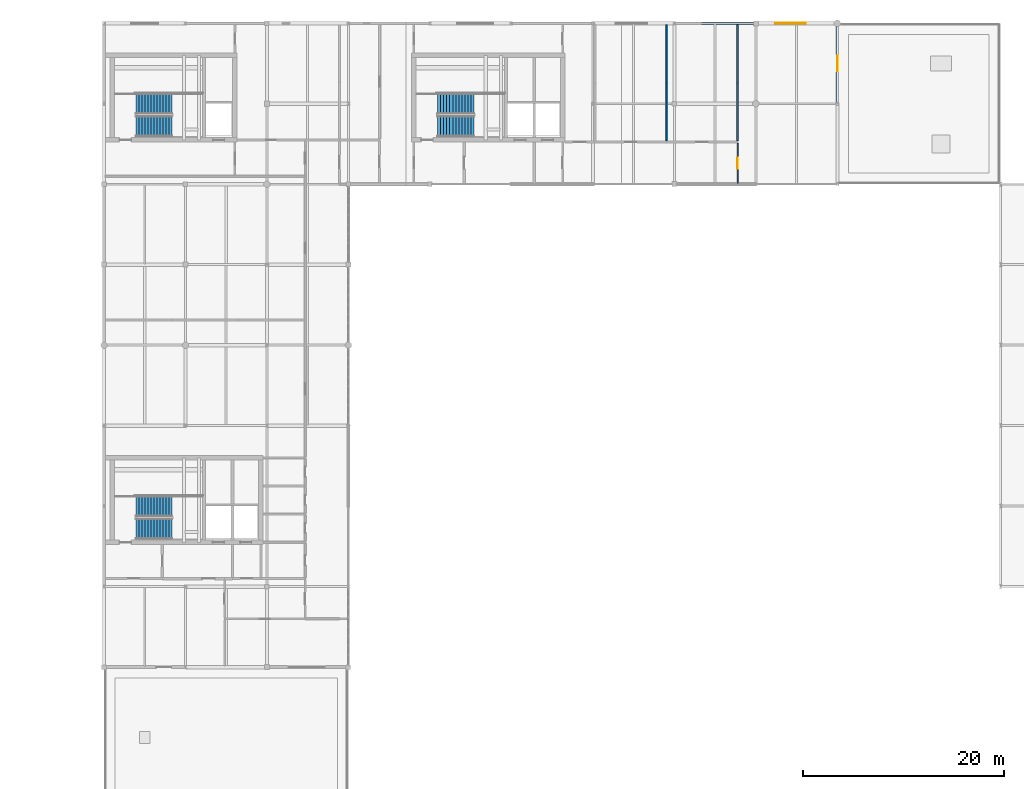
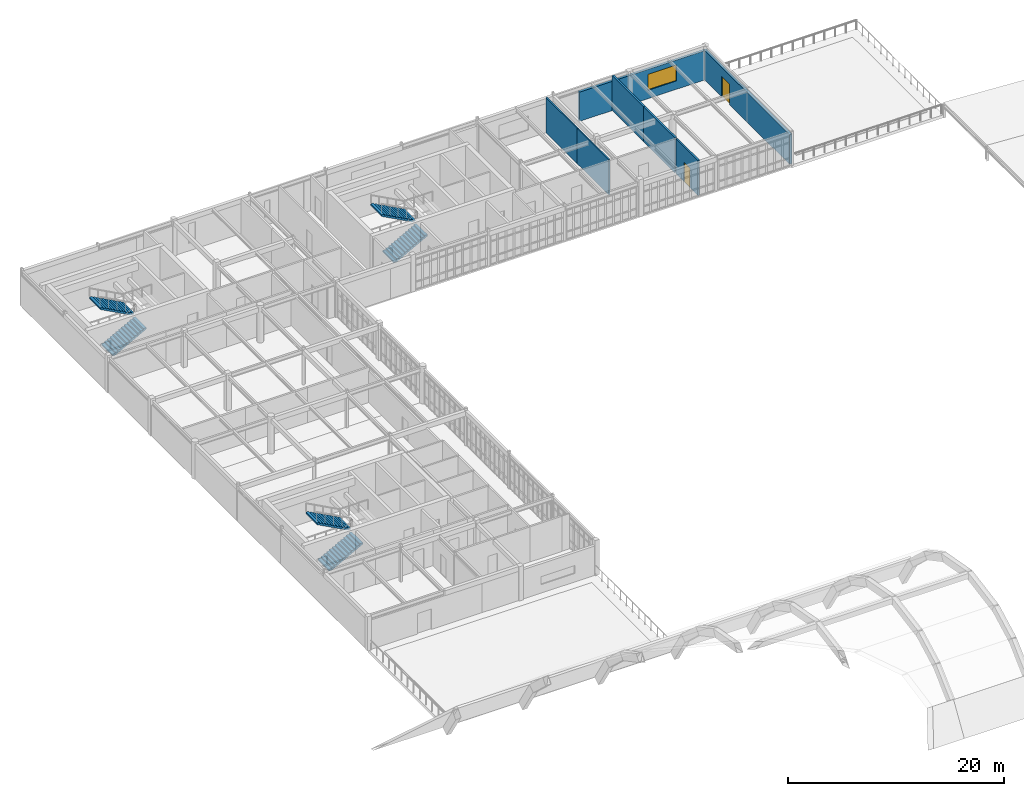
# One storey, part 33 of 36: 7 walls, 6 stair flights, 2 doors, 1 window, 3 openings, 3 elements without a shape of their own.
"""IFC4 building model written with IfcOpenShell, lengths in metres."""

from ifc_helpers import new_model, si_unit, direction, frame, frame_2d, origin, place, context, subcontext, project, spatial, polyline, rectangle, outline, extrude, material, layer, layer_set, type_object, element, fill, aggregate, save


model = new_model("IFC4")

# Units and contexts
model_context = context("Model", 3, precision=1e-05, world=origin(), true_north=direction((0.0, 1.0)))
body_context = subcontext(model_context, "Body", "Model", "MODEL_VIEW")
ifc_project = project(units=[si_unit("LENGTHUNIT", "METRE"), si_unit("AREAUNIT", "SQUARE_METRE"), si_unit("VOLUMEUNIT", "CUBIC_METRE"), si_unit("PLANEANGLEUNIT", "RADIAN"), si_unit("MASSUNIT", "GRAM", prefix="KILO")], contexts=[model_context])

# Site, building, storey
site_placement = place(None, origin())
site = spatial("IfcSite", under=ifc_project, at=site_placement, CompositionType="ELEMENT")
building_placement = place(site_placement, origin())
building = spatial("IfcBuilding", under=site, at=building_placement, Name="Tarnveldt Square Police Headquarters", CompositionType="ELEMENT")
storey_placement = place(building_placement, frame((0.0, 0.0, 24.89990234375)))
storey = spatial("IfcBuildingStorey", under=building, at=storey_placement, Name="L05", CompositionType="ELEMENT", Elevation=24.89990234375)

# Walls
ifc_material_1 = material(Name="Fire-rated Type X gypsum board on steel studs", Category="steel")
ifc_layer_1 = layer(ifc_material_1, 0.199951171875)
ifc_layer_set_1 = layer_set([ifc_layer_1], Name="Fire-rated Type X gypsum board on steel studs")
wall_type_1 = type_object("IfcWallType", Name="WL-ACOUST-200", PredefinedType="PARTITIONING", material=ifc_layer_set_1)
for number, where, z_axis, x_axis, name in (
    (1, (79.199951171875, 100.298095703125, 0.0), (0.0, 0.0, 1.0), (0.0, 1.0, 0.0), "L05 Interior Partition Wall 0658"),
    (2, (79.199951171875, 106.080078125, 0.0), (0.0, 0.0, 1.0), (0.0, 1.0, 0.0), "L05 Interior Partition Wall 0659"),
):
    element("IfcWall", number, at=place(storey_placement, frame(where, z_axis=z_axis, x_axis=x_axis)), inside=storey, type_object=wall_type_1, Name=name, PredefinedType="PARTITIONING", context=body_context, shape_type="SweptSolid", body=[
        extrude(rectangle(XDim=5.781982421875, YDim=0.199951171875, at=frame_2d((2.89111328125, 0.0))), origin(), (0.0, 0.0, 1.0), 3.960205078125),
    ])

# Wall, opening, window
ifc_material_2 = material(Name="Precast concrete 35 MPa", Category="concrete")
ifc_layer_2 = layer(ifc_material_2, 0.260009765625)
ifc_layer_set_2 = layer_set([ifc_layer_2], Name="Precast concrete 35 MPa")
wall_type_2 = type_object("IfcWallType", Name="WL-EXT-PC260", PredefinedType="SOLIDWALL", material=ifc_layer_set_2)
wall_1_placement = place(storey_placement, frame((89.10009765625, 112.0, 0.0), z_axis=(0.0, 0.0, 1.0), x_axis=(-1.0, 0.0, 0.0)))
wall_1 = element("IfcWall", 3, at=wall_1_placement, inside=storey, type_object=wall_type_2, Name="L05 Brutalist Exterior Wall 0216", PredefinedType="SOLIDWALL", context=body_context, shape_type="SweptSolid", body=[
    extrude(rectangle(XDim=13.5, YDim=0.260009765625, at=frame_2d((6.75, 0.0))), origin(), (0.0, 0.0, 1.0), 3.302001953125),
])
opening_1_placement = place(wall_1_placement, frame((3.14990234375, 0.0, 0.949951171875)))
opening_1 = element("IfcOpeningElement", 4, at=opening_1_placement, cuts=wall_1, Name="Opening W17", PredefinedType="OPENING", context=body_context, shape_type="SweptSolid", body=[
    extrude(rectangle(XDim=3.0, YDim=1.800048828125, at=frame_2d((1.5, 0.89990234375))), frame((0.0, 0.139892578125, 0.0), z_axis=(0.0, -1.0, 0.0), x_axis=(1.0, 0.0, 0.0)), (0.0, 0.0, 1.0), 0.280029296875),
])
ifc_material_3 = material(Name="Triple-glazed low-e laminated vision glass", Category="glass")
window_type = type_object("IfcWindowType", Name="WIN-DR-300x180", PartitioningType="TRIPLE_PANEL_VERTICAL", PredefinedType="WINDOW", material=ifc_material_3)
window_placement = place(opening_1_placement, origin())
window = element("IfcWindow", 5, at=window_placement, inside=storey, type_object=window_type, Name="L05 Deep-Reveal Brutalist Window 0113", OverallHeight=1.800048828125, OverallWidth=3.0, PartitioningType="TRIPLE_PANEL_VERTICAL", PredefinedType="WINDOW", context=body_context, shape_type="SweptSolid", body=[
    extrude(rectangle(XDim=3.0, YDim=1.800048828125, at=frame_2d((1.5, 0.89990234375))), frame((0.0, 0.030029296875, 0.0), z_axis=(0.0, -1.0, 0.0), x_axis=(1.0, 0.0, 0.0)), (0.0, 0.0, 1.0), 0.06005859375),
])
fill(opening_1, window)

# Wall, opening, door
ifc_layer_3 = layer(ifc_material_2, 0.280029296875)
ifc_layer_set_3 = layer_set([ifc_layer_3], Name="Precast concrete 35 MPa")
wall_type_3 = type_object("IfcWallType", Name="WL-EXT-PC280", PredefinedType="SOLIDWALL", material=ifc_layer_set_3)
wall_2_placement = place(storey_placement, frame((89.10009765625, 96.179931640625, 0.0), z_axis=(0.0, 0.0, 1.0), x_axis=(0.0, 1.0, 0.0)))
wall_2 = element("IfcWall", 6, at=wall_2_placement, inside=storey, type_object=wall_type_3, Name="L05 Brutalist Exterior Wall 0215", PredefinedType="SOLIDWALL", context=body_context, shape_type="SweptSolid", body=[
    extrude(rectangle(XDim=15.820068359375, YDim=0.280029296875, at=frame_2d((7.91015625, 0.0))), origin(), (0.0, 0.0, 1.0), 3.35205078125),
])
opening_2_placement = place(wall_2_placement, frame((11.070068359375, 0.0, 0.0)))
opening_2 = element("IfcOpeningElement", 7, at=opening_2_placement, cuts=wall_2, Name="Opening DT3", PredefinedType="OPENING", context=body_context, shape_type="SweptSolid", body=[
    extrude(rectangle(XDim=1.5, YDim=2.300048828125, at=frame_2d((0.75, 1.14990234375))), frame((0.0, 0.14990234375, 0.0), z_axis=(0.0, -1.0, 0.0), x_axis=(1.0, 0.0, 0.0)), (0.0, 0.0, 1.0), 0.300048828125),
])
ifc_material_4 = material(Name="Thermally broken anodised aluminium 6063-T6", Category="aluminium")
door_type_1 = type_object("IfcDoorType", Name="DR-TER-1500", OperationType="DOUBLE_DOOR_SINGLE_SWING", PredefinedType="DOOR", material=ifc_material_4)
door_1_placement = place(opening_2_placement, frame((1.5, 0.0, 0.0), z_axis=(0.0, 0.0, 1.0), x_axis=(-1.0, 0.0, 0.0)))
door_1 = element("IfcDoor", 8, at=door_1_placement, inside=storey, type_object=door_type_1, Name="East Forensic Setback Roof Terrace Access Door", OperationType="DOUBLE_DOOR_SINGLE_SWING", OverallHeight=2.300048828125, OverallWidth=1.5, PredefinedType="DOOR", context=body_context, shape_type="SweptSolid", body=[
    extrude(rectangle(XDim=1.5, YDim=2.300048828125, at=frame_2d((0.75, 1.14990234375))), frame((0.0, 0.02490234375, 0.0), z_axis=(0.0, -1.0, 0.0), x_axis=(1.0, 0.0, 0.0)), (0.0, 0.0, 1.0), 0.050048828125),
])
fill(opening_2, door_1)

ifc_layer_4 = layer(ifc_material_1, 0.179931640625)
ifc_layer_set_4 = layer_set([ifc_layer_4], Name="Fire-rated Type X gypsum board on steel studs")
wall_type_4 = type_object("IfcWallType", Name="WL-FIRE-180", PredefinedType="PARTITIONING", material=ifc_layer_set_4)
wall_3_placement = place(storey_placement, frame((79.199951171875, 96.06494140625, 0.0), z_axis=(0.0, 0.0, 1.0), x_axis=(0.0, 1.0, 0.0)))
wall_3 = element("IfcWall", 9, at=wall_3_placement, inside=storey, type_object=wall_type_4, Name="L05 Interior Partition Wall 0657", PredefinedType="PARTITIONING", context=body_context, shape_type="SweptSolid", body=[
    extrude(rectangle(XDim=4.037109375, YDim=0.179931640625, at=frame_2d((2.0185546875, 0.0))), origin(), (0.0, 0.0, 1.0), 3.960205078125),
])
opening_3_placement = place(wall_3_placement, frame((1.468505859375, 0.0, 0.0)))
opening_3 = element("IfcOpeningElement", 10, at=opening_3_placement, cuts=wall_3, Name="Opening D07", PredefinedType="OPENING", context=body_context, shape_type="SweptSolid", body=[
    extrude(rectangle(XDim=1.10009765625, YDim=2.199951171875, at=frame_2d((0.550048828125, 1.10009765625))), frame((0.0, 0.099853515625, 0.0), z_axis=(0.0, -1.0, 0.0), x_axis=(1.0, 0.0, 0.0)), (0.0, 0.0, 1.0), 0.199951171875),
])
ifc_material_5 = material(Name="Solid core architectural birch door leaf", Category="wood")
door_type_2 = type_object("IfcDoorType", Name="DR-INT-1100", OperationType="NOTDEFINED", PredefinedType="DOOR", material=ifc_material_5)
door_2_placement = place(opening_3_placement, frame((1.10009765625, 0.0, 0.0), z_axis=(0.0, 0.0, 1.0), x_axis=(-1.0, 0.0, 0.0)))
door_2 = element("IfcDoor", 11, at=door_2_placement, inside=storey, type_object=door_type_2, Name="Forensic Terrace Seminar Briefing Room L05 Door", OperationType="SINGLE_SWING_LEFT", OverallHeight=2.199951171875, OverallWidth=1.10009765625, PredefinedType="DOOR", context=body_context, shape_type="SweptSolid", body=[
    extrude(rectangle(XDim=1.10009765625, YDim=2.199951171875, at=frame_2d((0.550048828125, 1.10009765625))), frame((0.0, 0.02490234375, 0.0), z_axis=(0.0, -1.0, 0.0), x_axis=(1.0, 0.0, 0.0)), (0.0, 0.0, 1.0), 0.050048828125),
])
fill(opening_3, door_2)

# Walls
ifc_layer_5 = layer(ifc_material_1, 0.139892578125)
ifc_layer_set_5 = layer_set([ifc_layer_5], Name="Fire-rated Type X gypsum board on steel studs")
wall_type_5 = type_object("IfcWallType", Name="WL-LAB-140", PredefinedType="PARTITIONING", material=ifc_layer_set_5)
for number, where, z_axis, x_axis, name in (
    (12, (72.10009765625, 100.298095703125, 0.0), (0.0, 0.0, 1.0), (0.0, 1.0, 0.0), "L05 Interior Partition Wall 0655"),
    (13, (72.10009765625, 106.080078125, 0.0), (0.0, 0.0, 1.0), (0.0, 1.0, 0.0), "L05 Interior Partition Wall 0656"),
):
    element("IfcWall", number, at=place(storey_placement, frame(where, z_axis=z_axis, x_axis=x_axis)), inside=storey, type_object=wall_type_5, Name=name, PredefinedType="PARTITIONING", context=body_context, shape_type="SweptSolid", body=[
        extrude(rectangle(XDim=5.781982421875, YDim=0.139892578125, at=frame_2d((2.89111328125, 0.0))), origin(), (0.0, 0.0, 1.0), 3.960205078125),
    ])

# Stair, stair flights
ifc_material_6 = material(Name="Concrete 40 MPa", Category="concrete")
stair_type = type_object("IfcStairType", Name="STR-HT-48A", PredefinedType="HALF_TURN_STAIR", material=ifc_material_6)
stair_1_placement = place(storey_placement, origin())
stair_1 = element("IfcStair", 14, at=stair_1_placement, inside=storey, type_object=stair_type, Name="L05 Core K1 Exit Stair ST1", PredefinedType="HALF_TURN_STAIR")
stair_flight_type = type_object("IfcStairFlightType", Name="STF-HT-48A", PredefinedType="STRAIGHT", material=ifc_material_6)
stair_flight_1_placement = place(storey_placement, frame((19.3701171875, 61.7451171875, 0.0), z_axis=(0.0, 0.0, 1.0), x_axis=(1.0, 0.0, 0.0)))
stair_flight_1 = element("IfcStairFlight", 15, at=stair_flight_1_placement, type_object=stair_flight_type, Name="ST1 flight 1", NumberOfRisers=13, NumberOfTreads=12, PredefinedType="STRAIGHT", RiserHeight=0.161538462, TreadLength=0.3, context=body_context, shape_type="SweptSolid", body=[
    extrude(outline(polyline([(0.0, 0.0), (0.0, 0.16162109375), (0.300048828125, 0.16162109375), (0.300048828125, 0.322998046875), (0.60009765625, 0.322998046875), (0.60009765625, 0.484619140625), (0.89990234375, 0.484619140625), (0.89990234375, 0.646240234375), (1.199951171875, 0.646240234375), (1.199951171875, 0.8076171875), (1.5, 0.8076171875), (1.5, 0.96923828125), (1.800048828125, 0.96923828125), (1.800048828125, 1.130859375), (2.10009765625, 1.130859375), (2.10009765625, 1.292236328125), (2.39990234375, 1.292236328125), (2.39990234375, 1.453857421875), (2.699951171875, 1.453857421875), (2.699951171875, 1.615478515625), (3.0, 1.615478515625), (3.0, 1.77685546875), (3.300048828125, 1.77685546875), (3.300048828125, 1.9384765625), (3.60009765625, 1.9384765625), (3.60009765625, 2.10009765625), (3.60009765625, 1.768310546875), (0.316162109375, 0.0), (0.0, 0.0)])), frame((0.0, 1.02490234375, 0.0), z_axis=(0.0, -1.0, 0.0), x_axis=(1.0, 0.0, 0.0)), (0.0, 0.0, 1.0), 2.050048828125),
])
stair_flight_2_placement = place(storey_placement, frame((22.969970703125, 63.9951171875, 2.10009765625), z_axis=(0.0, 0.0, 1.0), x_axis=(-1.0, 0.0, 0.0)))
stair_flight_2 = element("IfcStairFlight", 16, at=stair_flight_2_placement, type_object=stair_flight_type, Name="ST1 flight 2", NumberOfRisers=13, NumberOfTreads=12, PredefinedType="STRAIGHT", RiserHeight=0.161538462, TreadLength=0.3, context=body_context, shape_type="SweptSolid", body=[
    extrude(outline(polyline([(0.0, 0.0), (0.0, 0.16162109375), (0.300048828125, 0.16162109375), (0.300048828125, 0.322998046875), (0.60009765625, 0.322998046875), (0.60009765625, 0.484619140625), (0.89990234375, 0.484619140625), (0.89990234375, 0.646240234375), (1.199951171875, 0.646240234375), (1.199951171875, 0.8076171875), (1.5, 0.8076171875), (1.5, 0.96923828125), (1.800048828125, 0.96923828125), (1.800048828125, 1.130859375), (2.10009765625, 1.130859375), (2.10009765625, 1.292236328125), (2.39990234375, 1.292236328125), (2.39990234375, 1.453857421875), (2.699951171875, 1.453857421875), (2.699951171875, 1.615478515625), (3.0, 1.615478515625), (3.0, 1.77685546875), (3.300048828125, 1.77685546875), (3.300048828125, 1.9384765625), (3.60009765625, 1.9384765625), (3.60009765625, 2.10009765625), (3.60009765625, 1.768310546875), (0.316162109375, 0.0), (0.0, 0.0)])), frame((0.0, 1.02490234375, 0.0), z_axis=(0.0, -1.0, 0.0), x_axis=(1.0, 0.0, 0.0)), (0.0, 0.0, 1.0), 2.050048828125),
])
aggregate(stair_1, [stair_flight_1, stair_flight_2])

stair_2_placement = place(storey_placement, origin())
stair_2 = element("IfcStair", 17, at=stair_2_placement, inside=storey, type_object=stair_type, Name="L05 Core K2 Exit Stair ST2", PredefinedType="HALF_TURN_STAIR")
stair_flight_3_placement = place(storey_placement, frame((19.3701171875, 101.7451171875, 0.0), z_axis=(0.0, 0.0, 1.0), x_axis=(1.0, 0.0, 0.0)))
stair_flight_3 = element("IfcStairFlight", 18, at=stair_flight_3_placement, type_object=stair_flight_type, Name="ST2 flight 1", NumberOfRisers=13, NumberOfTreads=12, PredefinedType="STRAIGHT", RiserHeight=0.161538462, TreadLength=0.3, context=body_context, shape_type="SweptSolid", body=[
    extrude(outline(polyline([(0.0, 0.0), (0.0, 0.16162109375), (0.300048828125, 0.16162109375), (0.300048828125, 0.322998046875), (0.60009765625, 0.322998046875), (0.60009765625, 0.484619140625), (0.89990234375, 0.484619140625), (0.89990234375, 0.646240234375), (1.199951171875, 0.646240234375), (1.199951171875, 0.8076171875), (1.5, 0.8076171875), (1.5, 0.96923828125), (1.800048828125, 0.96923828125), (1.800048828125, 1.130859375), (2.10009765625, 1.130859375), (2.10009765625, 1.292236328125), (2.39990234375, 1.292236328125), (2.39990234375, 1.453857421875), (2.699951171875, 1.453857421875), (2.699951171875, 1.615478515625), (3.0, 1.615478515625), (3.0, 1.77685546875), (3.300048828125, 1.77685546875), (3.300048828125, 1.9384765625), (3.60009765625, 1.9384765625), (3.60009765625, 2.10009765625), (3.60009765625, 1.768310546875), (0.316162109375, 0.0), (0.0, 0.0)])), frame((0.0, 1.02490234375, 0.0), z_axis=(0.0, -1.0, 0.0), x_axis=(1.0, 0.0, 0.0)), (0.0, 0.0, 1.0), 2.050048828125),
])
stair_flight_4_placement = place(storey_placement, frame((22.969970703125, 103.9951171875, 2.10009765625), z_axis=(0.0, 0.0, 1.0), x_axis=(-1.0, 0.0, 0.0)))
stair_flight_4 = element("IfcStairFlight", 19, at=stair_flight_4_placement, type_object=stair_flight_type, Name="ST2 flight 2", NumberOfRisers=13, NumberOfTreads=12, PredefinedType="STRAIGHT", RiserHeight=0.161538462, TreadLength=0.3, context=body_context, shape_type="SweptSolid", body=[
    extrude(outline(polyline([(0.0, 0.0), (0.0, 0.16162109375), (0.300048828125, 0.16162109375), (0.300048828125, 0.322998046875), (0.60009765625, 0.322998046875), (0.60009765625, 0.484619140625), (0.89990234375, 0.484619140625), (0.89990234375, 0.646240234375), (1.199951171875, 0.646240234375), (1.199951171875, 0.8076171875), (1.5, 0.8076171875), (1.5, 0.96923828125), (1.800048828125, 0.96923828125), (1.800048828125, 1.130859375), (2.10009765625, 1.130859375), (2.10009765625, 1.292236328125), (2.39990234375, 1.292236328125), (2.39990234375, 1.453857421875), (2.699951171875, 1.453857421875), (2.699951171875, 1.615478515625), (3.0, 1.615478515625), (3.0, 1.77685546875), (3.300048828125, 1.77685546875), (3.300048828125, 1.9384765625), (3.60009765625, 1.9384765625), (3.60009765625, 2.10009765625), (3.60009765625, 1.768310546875), (0.316162109375, 0.0), (0.0, 0.0)])), frame((0.0, 1.02490234375, 0.0), z_axis=(0.0, -1.0, 0.0), x_axis=(1.0, 0.0, 0.0)), (0.0, 0.0, 1.0), 2.050048828125),
])
aggregate(stair_2, [stair_flight_3, stair_flight_4])

stair_3_placement = place(storey_placement, origin())
stair_3 = element("IfcStair", 20, at=stair_3_placement, inside=storey, type_object=stair_type, Name="L05 Core K3 Exit Stair ST3", PredefinedType="HALF_TURN_STAIR")
stair_flight_5_placement = place(storey_placement, frame((49.3701171875, 101.7451171875, 0.0), z_axis=(0.0, 0.0, 1.0), x_axis=(1.0, 0.0, 0.0)))
stair_flight_5 = element("IfcStairFlight", 21, at=stair_flight_5_placement, type_object=stair_flight_type, Name="ST3 flight 1", NumberOfRisers=13, NumberOfTreads=12, PredefinedType="STRAIGHT", RiserHeight=0.161538462, TreadLength=0.3, context=body_context, shape_type="SweptSolid", body=[
    extrude(outline(polyline([(0.0, 0.0), (0.0, 0.16162109375), (0.300048828125, 0.16162109375), (0.300048828125, 0.322998046875), (0.60009765625, 0.322998046875), (0.60009765625, 0.484619140625), (0.89990234375, 0.484619140625), (0.89990234375, 0.646240234375), (1.199951171875, 0.646240234375), (1.199951171875, 0.8076171875), (1.5, 0.8076171875), (1.5, 0.96923828125), (1.800048828125, 0.96923828125), (1.800048828125, 1.130859375), (2.10009765625, 1.130859375), (2.10009765625, 1.292236328125), (2.39990234375, 1.292236328125), (2.39990234375, 1.453857421875), (2.699951171875, 1.453857421875), (2.699951171875, 1.615478515625), (3.0, 1.615478515625), (3.0, 1.77685546875), (3.300048828125, 1.77685546875), (3.300048828125, 1.9384765625), (3.60009765625, 1.9384765625), (3.60009765625, 2.10009765625), (3.60009765625, 1.768310546875), (0.316162109375, 0.0), (0.0, 0.0)])), frame((0.0, 1.02490234375, 0.0), z_axis=(0.0, -1.0, 0.0), x_axis=(1.0, 0.0, 0.0)), (0.0, 0.0, 1.0), 2.050048828125),
])
stair_flight_6_placement = place(storey_placement, frame((52.969970703125, 103.9951171875, 2.10009765625), z_axis=(0.0, 0.0, 1.0), x_axis=(-1.0, 0.0, 0.0)))
stair_flight_6 = element("IfcStairFlight", 22, at=stair_flight_6_placement, type_object=stair_flight_type, Name="ST3 flight 2", NumberOfRisers=13, NumberOfTreads=12, PredefinedType="STRAIGHT", RiserHeight=0.161538462, TreadLength=0.3, context=body_context, shape_type="SweptSolid", body=[
    extrude(outline(polyline([(0.0, 0.0), (0.0, 0.16162109375), (0.300048828125, 0.16162109375), (0.300048828125, 0.322998046875), (0.60009765625, 0.322998046875), (0.60009765625, 0.484619140625), (0.89990234375, 0.484619140625), (0.89990234375, 0.646240234375), (1.199951171875, 0.646240234375), (1.199951171875, 0.8076171875), (1.5, 0.8076171875), (1.5, 0.96923828125), (1.800048828125, 0.96923828125), (1.800048828125, 1.130859375), (2.10009765625, 1.130859375), (2.10009765625, 1.292236328125), (2.39990234375, 1.292236328125), (2.39990234375, 1.453857421875), (2.699951171875, 1.453857421875), (2.699951171875, 1.615478515625), (3.0, 1.615478515625), (3.0, 1.77685546875), (3.300048828125, 1.77685546875), (3.300048828125, 1.9384765625), (3.60009765625, 1.9384765625), (3.60009765625, 2.10009765625), (3.60009765625, 1.768310546875), (0.316162109375, 0.0), (0.0, 0.0)])), frame((0.0, 1.02490234375, 0.0), z_axis=(0.0, -1.0, 0.0), x_axis=(1.0, 0.0, 0.0)), (0.0, 0.0, 1.0), 2.050048828125),
])
aggregate(stair_3, [stair_flight_5, stair_flight_6])

save(model, "model.ifc")
